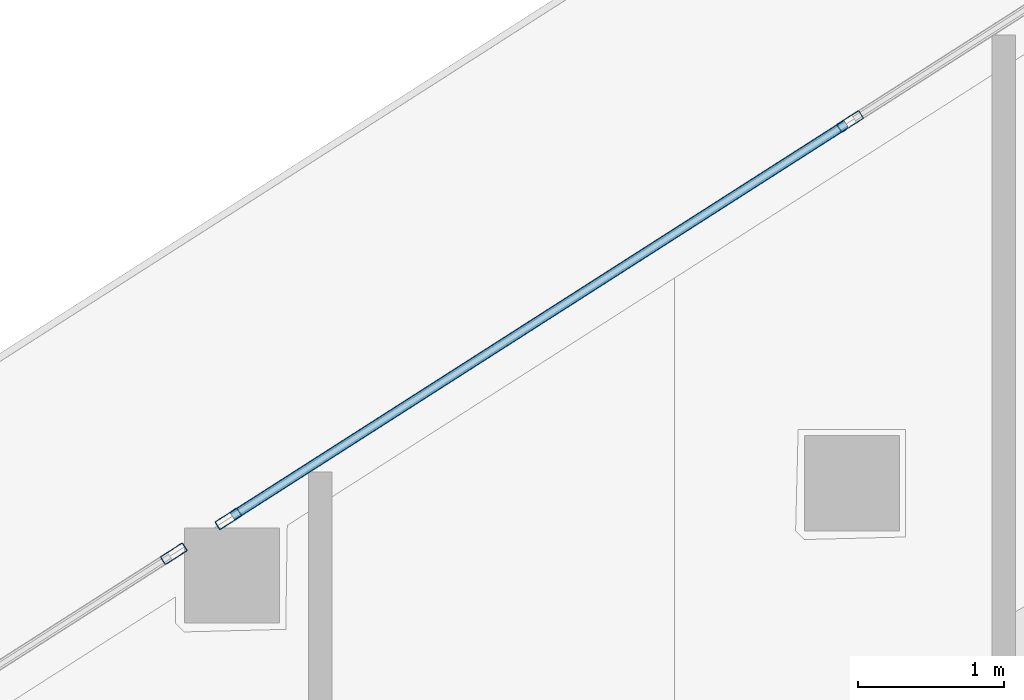
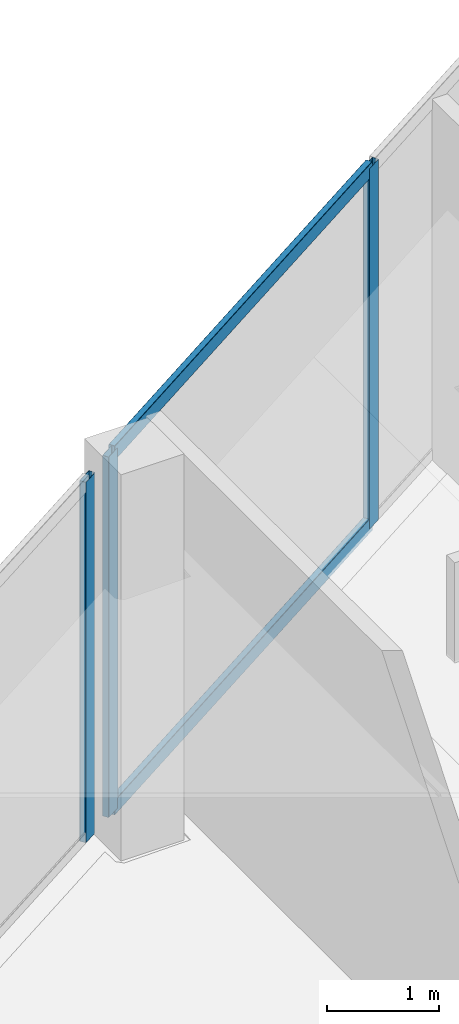
# One storey, part 18 of 46: 5 members, 2 elements without a shape of their own.
"""IFC4 building model written with IfcOpenShell, lengths in metres."""

from ifc_helpers import new_model, si_unit, direction, frame, origin, origin_2d, place, context, subcontext, project, spatial, hollow_rectangle, extrude, material, layer, layer_set, material_profile, profile_set, type_object, element, aggregate, save


model = new_model("IFC4")

# Units and contexts
model_context = context("Model", 3, precision=1e-05, world=origin(), true_north=direction((0.0, 1.0)))
body_context = subcontext(model_context, "Body", "Model", "MODEL_VIEW")
ifc_project = project(units=[si_unit("LENGTHUNIT", "METRE"), si_unit("AREAUNIT", "SQUARE_METRE"), si_unit("VOLUMEUNIT", "CUBIC_METRE"), si_unit("PLANEANGLEUNIT", "RADIAN"), si_unit("MASSUNIT", "GRAM", prefix="KILO")], contexts=[model_context])

# Site, building, storey
site_placement = place(None, origin())
site = spatial("IfcSite", under=ifc_project, at=site_placement, CompositionType="ELEMENT")
building_placement = place(site_placement, origin())
building = spatial("IfcBuilding", under=site, at=building_placement, Name="Qorvath Tower", CompositionType="ELEMENT")
storey_placement = place(building_placement, frame((0.0, 0.0, 87.0)))
storey = spatial("IfcBuildingStorey", under=building, at=storey_placement, Name="L19", CompositionType="ELEMENT", Elevation=87.0)

# Curtain wall, members
ifc_material_1 = material(Name="Anodised aluminium and triple low-E glass", Category="aluminium")
ifc_layer = layer(ifc_material_1, 0.179931640625)
ifc_layer_set = layer_set([ifc_layer], Name="CW-SYS-2")
curtain_wall_type = type_object("IfcCurtainWallType", Name="CW-SYS-2", PredefinedType="NOTDEFINED", material=ifc_layer_set)
curtain_wall_1_placement = place(storey_placement, origin())
curtain_wall_1 = element("IfcCurtainWall", 1, at=curtain_wall_1_placement, inside=storey, type_object=curtain_wall_type, Name="Curtain Wall CW-2 CW-T-L19-16.2", PredefinedType="NOTDEFINED")
ifc_material_2 = material(Name="Anodised aluminium 6063-T6", Category="aluminium")
ifc_material_profile_1 = material_profile(ifc_material_2, hollow_rectangle(XDim=0.06494140625, YDim=0.179931640625, WallThickness=0.00341796875, InnerFilletRadius=0.00341796875, OuterFilletRadius=0.007080078125, at=origin_2d()), Name="CWM 180x65")
ifc_profile_set_1 = profile_set([ifc_material_profile_1], Name="Anodised aluminium 6063-T6")
member_type_1 = type_object("IfcMemberType", Name="CWM-180", PredefinedType="MULLION", material=ifc_profile_set_1)
member_1_placement = place(storey_placement, frame((-31.0283203125, 21.931884765625, 0.0), z_axis=(0.0, 0.0, 1.0), x_axis=(0.538530577432, -0.842605967918, 0.0)))
member_1 = element("IfcMember", 2, at=member_1_placement, type_object=member_type_1, Name="CW-2 mullion 4", PredefinedType="MULLION", context=body_context, shape_type="SweptSolid", body=[
    extrude(hollow_rectangle(XDim=0.06494140625, YDim=0.179931640625, WallThickness=0.00341796875, InnerFilletRadius=0.00341796875, OuterFilletRadius=0.007080078125, at=origin_2d()), origin(), (0.0, 0.0, 1.0), 3.919921875),
])
member_2_placement = place(storey_placement, frame((-35.276611328125, 19.216796875, 0.0), z_axis=(0.0, 0.0, 1.0), x_axis=(0.538530577432, -0.842605967918, 0.0)))
member_2 = element("IfcMember", 3, at=member_2_placement, type_object=member_type_1, Name="CW-2 mullion 5", PredefinedType="MULLION", context=body_context, shape_type="SweptSolid", body=[
    extrude(hollow_rectangle(XDim=0.06494140625, YDim=0.179931640625, WallThickness=0.00341796875, InnerFilletRadius=0.00341796875, OuterFilletRadius=0.007080078125, at=origin_2d()), origin(), (0.0, 0.0, 1.0), 3.919921875),
])

# Curtain wall, member
curtain_wall_2_placement = place(storey_placement, origin())
curtain_wall_2 = element("IfcCurtainWall", 4, at=curtain_wall_2_placement, inside=storey, type_object=curtain_wall_type, Name="Curtain Wall CW-2 CW-T-L19-16.3", PredefinedType="NOTDEFINED")
member_3_placement = place(storey_placement, frame((-35.64892578125, 18.978515625, 0.0), z_axis=(0.0, 0.0, 1.0), x_axis=(0.538527563, -0.842607894509, 0.0)))
member_3 = element("IfcMember", 5, at=member_3_placement, type_object=member_type_1, Name="CW-2 mullion 1", PredefinedType="MULLION", context=body_context, shape_type="SweptSolid", body=[
    extrude(hollow_rectangle(XDim=0.06494140625, YDim=0.179931640625, WallThickness=0.00341796875, InnerFilletRadius=0.00341796875, OuterFilletRadius=0.007080078125, at=origin_2d()), origin(), (0.0, 0.0, 1.0), 3.919921875),
])
aggregate(curtain_wall_2, [member_3])

# Member
ifc_material_3 = material(Name="Anodised aluminium 6063-T6", Category="aluminium")
ifc_material_profile_2 = material_profile(ifc_material_3, hollow_rectangle(XDim=0.06494140625, YDim=0.159912109375, WallThickness=0.00341796875, InnerFilletRadius=0.00341796875, OuterFilletRadius=0.007080078125, at=origin_2d()), Name="CWT 160x65")
ifc_profile_set_2 = profile_set([ifc_material_profile_2], Name="Anodised aluminium 6063-T6")
member_type_2 = type_object("IfcMemberType", Name="CWT-160", PredefinedType="USERDEFINED", material=ifc_profile_set_2)
member_4_placement = place(storey_placement, frame((-31.0556640625, 21.914306640625, 0.032470703125), z_axis=(-0.842611552853, -0.538521838925, 0.0), x_axis=(0.538521838925, -0.842611552853, 0.0)))
member_4 = element("IfcMember", 6, at=member_4_placement, type_object=member_type_2, Name="CW-2 transom 4.1", ObjectType="TRANSOM", PredefinedType="USERDEFINED", context=body_context, shape_type="SweptSolid", body=[
    extrude(hollow_rectangle(XDim=0.06494140625, YDim=0.159912109375, WallThickness=0.00341796875, InnerFilletRadius=0.00341796875, OuterFilletRadius=0.007080078125, at=origin_2d()), origin(), (0.0, 0.0, 1.0), 4.976806640625),
])

member_5_placement = place(storey_placement, frame((-31.0556640625, 21.914306640625, 3.887451171875), z_axis=(-0.842611552853, -0.538521838925, 0.0), x_axis=(0.538521838925, -0.842611552853, 0.0)))
member_5 = element("IfcMember", 7, at=member_5_placement, type_object=member_type_2, Name="CW-2 transom 4.2", ObjectType="TRANSOM", PredefinedType="USERDEFINED", context=body_context, shape_type="SweptSolid", body=[
    extrude(hollow_rectangle(XDim=0.06494140625, YDim=0.159912109375, WallThickness=0.00341796875, InnerFilletRadius=0.00341796875, OuterFilletRadius=0.007080078125, at=origin_2d()), origin(), (0.0, 0.0, 1.0), 4.976806640625),
])

aggregate(curtain_wall_1, [member_1, member_2, member_4, member_5])

save(model, "model.ifc")
